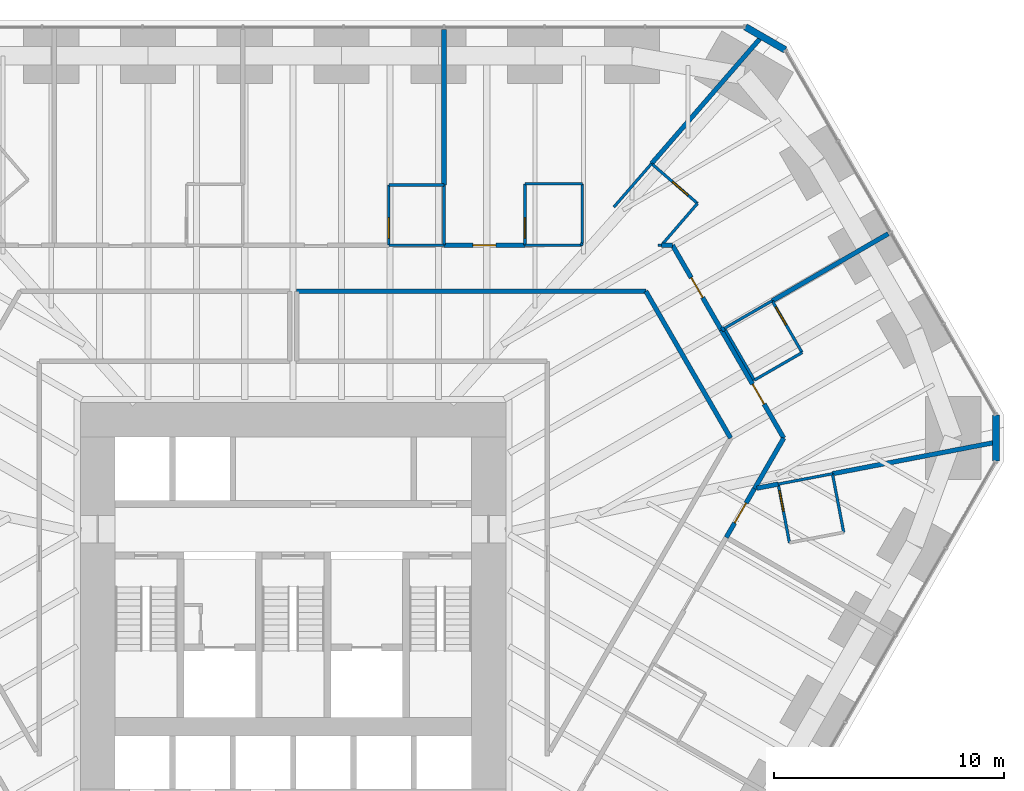
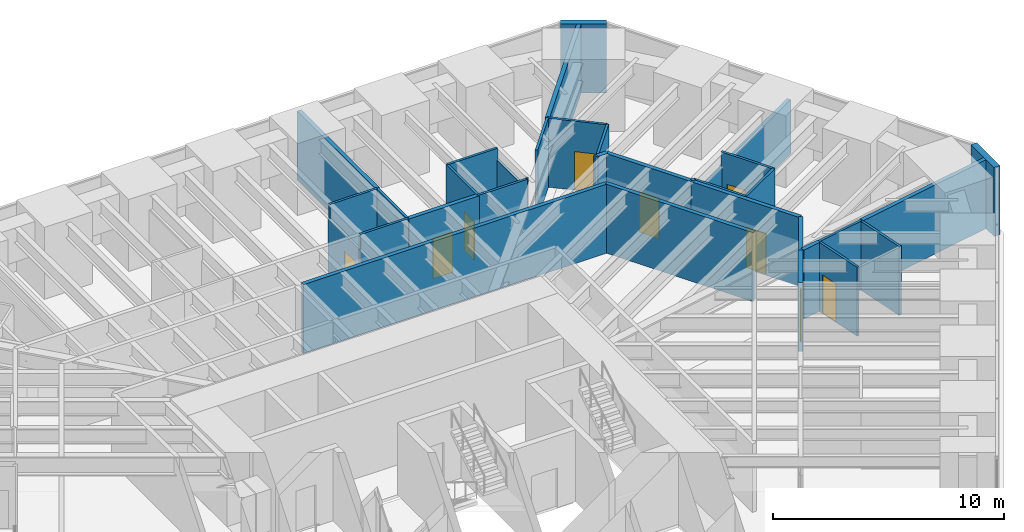
# One storey, part 15 of 17: 36 walls, 9 doors, 9 openings.
"""IFC4 building model written with IfcOpenShell, lengths in metres."""

from ifc_helpers import new_model, si_unit, direction, frame, frame_2d, origin, place, context, subcontext, project, spatial, rectangle, extrude, material, layer, layer_set, type_object, element, fill, save


model = new_model("IFC4")

# Units and contexts
model_context = context("Model", 3, precision=1e-05, world=origin(), true_north=direction((0.0, 1.0)))
body_context = subcontext(model_context, "Body", "Model", "MODEL_VIEW")
ifc_project = project(units=[si_unit("LENGTHUNIT", "METRE"), si_unit("AREAUNIT", "SQUARE_METRE"), si_unit("VOLUMEUNIT", "CUBIC_METRE"), si_unit("PLANEANGLEUNIT", "RADIAN"), si_unit("MASSUNIT", "GRAM", prefix="KILO")], contexts=[model_context])

# Site, building, storey
site_placement = place(None, origin())
site = spatial("IfcSite", under=ifc_project, at=site_placement, CompositionType="ELEMENT")
building_placement = place(site_placement, origin())
building = spatial("IfcBuilding", under=site, at=building_placement, Name="Sandreach Pilgrim Tower", CompositionType="ELEMENT")
storey_placement = place(building_placement, frame((0.0, 0.0, 34.39990234375)))
storey = spatial("IfcBuildingStorey", under=building, at=storey_placement, Name="L07", CompositionType="ELEMENT", Elevation=34.39990234375)

# Wall, opening, door
ifc_material_1 = material(Name="Moisture-resistant gypsum board on steel studs", Category="steel")
ifc_layer_1 = layer(ifc_material_1, 0.1201171875)
ifc_layer_set_1 = layer_set([ifc_layer_1], Name="Bathroom partition 120")
wall_type_1 = type_object("IfcWallType", Name="Bathroom partition 120", PredefinedType="PARTITIONING", material=ifc_layer_set_1)
wall_1_placement = place(storey_placement, frame((4.159912109375, 17.070068359375, 0.0), z_axis=(0.0, 0.0, 1.0), x_axis=(0.0, -1.0, 0.0)))
wall_1 = element("IfcWall", 1, at=wall_1_placement, inside=storey, type_object=wall_type_1, Name="Bathroom partition L07-078", PredefinedType="PARTITIONING", context=body_context, shape_type="SweptSolid", body=[
    extrude(rectangle(XDim=2.6201171875, YDim=0.1201171875, at=frame_2d((1.31005859375, 0.0))), origin(), (0.0, 0.0, 1.0), 2.878173828125),
])
opening_1_placement = place(wall_1_placement, frame((1.419921875, 0.0, 0.0)))
opening_1 = element("IfcOpeningElement", 2, at=opening_1_placement, cuts=wall_1, Name="Opening D09-03B", PredefinedType="OPENING", context=body_context, shape_type="SweptSolid", body=[
    extrude(rectangle(XDim=0.89990234375, YDim=2.030029296875, at=frame_2d((0.449951171875, 1.01513671875))), frame((0.0, 0.06005859375, 0.0), z_axis=(0.0, -1.0, 0.0), x_axis=(1.0, 0.0, 0.0)), (0.0, 0.0, 1.0), 0.1201171875),
])
ifc_material_2 = material(Name="Timber door, steel frame", Category="steel")
door_type_1 = type_object("IfcDoorType", Name="Bathroom door", OperationType="SINGLE_SWING_LEFT", PredefinedType="DOOR", material=ifc_material_2)
door_1_placement = place(opening_1_placement, origin())
door_1 = element("IfcDoor", 3, at=door_1_placement, inside=storey, type_object=door_type_1, Name="Door 0703B", OperationType="SINGLE_SWING_RIGHT", OverallHeight=2.030029296875, OverallWidth=0.89990234375, PredefinedType="DOOR", context=body_context, shape_type="SweptSolid", body=[
    extrude(rectangle(XDim=0.89990234375, YDim=2.030029296875, at=frame_2d((0.449951171875, 1.01513671875))), frame((0.0, 0.02490234375, 0.0), z_axis=(0.0, -1.0, 0.0), x_axis=(1.0, 0.0, 0.0)), (0.0, 0.0, 1.0), 0.050048828125),
])
fill(opening_1, door_1)

# Walls
for number, where, z_axis, x_axis, name in (
    (4, (6.56005859375, 14.449951171875, 0.0), (0.0, 0.0, 1.0), (-1.0, 0.0, 0.0), "Bathroom partition L07-083"),
    (5, (6.56005859375, 17.070068359375, 0.0), (0.0, 0.0, 1.0), (-1.0, 0.0, 0.0), "Bathroom partition L07-084"),
):
    element("IfcWall", number, at=place(storey_placement, frame(where, z_axis=z_axis, x_axis=x_axis)), inside=storey, type_object=wall_type_1, Name=name, PredefinedType="PARTITIONING", context=body_context, shape_type="SweptSolid", body=[
        extrude(rectangle(XDim=2.400146484375, YDim=0.1201171875, at=frame_2d((1.2001953125, 0.0))), origin(), (0.0, 0.0, 1.0), 3.64013671875),
    ])
wall_2_placement = place(storey_placement, frame((6.56005859375, 17.070068359375, 0.0), z_axis=(0.0, 0.0, 1.0), x_axis=(0.0, -1.0, 0.0)))
element("IfcWall", 6, at=wall_2_placement, inside=storey, type_object=wall_type_1, Name="Bathroom partition L07-085", PredefinedType="PARTITIONING", context=body_context, shape_type="SweptSolid", body=[
    extrude(rectangle(XDim=2.6201171875, YDim=0.1201171875, at=frame_2d((1.31005859375, 0.0))), origin(), (0.0, 0.0, 1.0), 3.64013671875),
])

# Wall, opening, door
wall_3_placement = place(storey_placement, frame((10.080078125, 17.1201171875, 0.0), z_axis=(0.0, 0.0, 1.0), x_axis=(0.0, -1.0, 0.0)))
wall_3 = element("IfcWall", 7, at=wall_3_placement, inside=storey, type_object=wall_type_1, Name="Bathroom partition L07-100", PredefinedType="PARTITIONING", context=body_context, shape_type="SweptSolid", body=[
    extrude(rectangle(XDim=2.670166015625, YDim=0.1201171875, at=frame_2d((1.3349609375, 0.0))), origin(), (0.0, 0.0, 1.0), 3.64013671875),
])
opening_2_placement = place(wall_3_placement, frame((1.469970703125, 0.0, 0.0)))
opening_2 = element("IfcOpeningElement", 8, at=opening_2_placement, cuts=wall_3, Name="Opening D09-04B", PredefinedType="OPENING", context=body_context, shape_type="SweptSolid", body=[
    extrude(rectangle(XDim=0.89990234375, YDim=2.030029296875, at=frame_2d((0.449951171875, 1.01513671875))), frame((0.0, 0.06005859375, 0.0), z_axis=(0.0, -1.0, 0.0), x_axis=(1.0, 0.0, 0.0)), (0.0, 0.0, 1.0), 0.1201171875),
])
door_2_placement = place(opening_2_placement, origin())
door_2 = element("IfcDoor", 9, at=door_2_placement, inside=storey, type_object=door_type_1, Name="Door 0704B", OperationType="SINGLE_SWING_RIGHT", OverallHeight=2.030029296875, OverallWidth=0.89990234375, PredefinedType="DOOR", context=body_context, shape_type="SweptSolid", body=[
    extrude(rectangle(XDim=0.89990234375, YDim=2.030029296875, at=frame_2d((0.449951171875, 1.01513671875))), frame((0.0, 0.02490234375, 0.0), z_axis=(0.0, -1.0, 0.0), x_axis=(1.0, 0.0, 0.0)), (0.0, 0.0, 1.0), 0.050048828125),
])
fill(opening_2, door_2)

# Walls
wall_4_placement = place(storey_placement, frame((12.510009765625, 14.449951171875, 0.0), z_axis=(0.0, 0.0, 1.0), x_axis=(-1.0, 0.0, 0.0)))
element("IfcWall", 10, at=wall_4_placement, inside=storey, type_object=wall_type_1, Name="Bathroom partition L07-112", PredefinedType="PARTITIONING", context=body_context, shape_type="SweptSolid", body=[
    extrude(rectangle(XDim=2.429931640625, YDim=0.1201171875, at=frame_2d((1.21484375, 0.0))), origin(), (0.0, 0.0, 1.0), 3.64013671875),
])
wall_5_placement = place(storey_placement, frame((12.580078125, 14.530029296875, 0.0), z_axis=(0.0, 0.0, 1.0), x_axis=(-0.658504607869, -0.752576694707, 0.0)))
element("IfcWall", 11, at=wall_5_placement, inside=storey, type_object=wall_type_1, Name="Bathroom partition L07-113", PredefinedType="PARTITIONING", context=body_context, shape_type="SweptSolid", body=[
    extrude(rectangle(XDim=0.1064453125, YDim=0.1201171875, at=frame_2d((0.05322265625, 0.0))), origin(), (0.0, 0.0, 1.0), 3.64013671875),
])
wall_6_placement = place(storey_placement, frame((12.580078125, 14.530029296875, 0.0), z_axis=(0.0, 0.0, 1.0), x_axis=(0.0, 1.0, 0.0)))
element("IfcWall", 12, at=wall_6_placement, inside=storey, type_object=wall_type_1, Name="Bathroom partition L07-114", PredefinedType="PARTITIONING", context=body_context, shape_type="SweptSolid", body=[
    extrude(rectangle(XDim=2.590087890625, YDim=0.1201171875, at=frame_2d((1.294921875, 0.0))), origin(), (0.0, 0.0, 1.0), 3.0380859375),
])
wall_7_placement = place(storey_placement, frame((12.580078125, 17.1201171875, 0.0), z_axis=(0.0, 0.0, 1.0), x_axis=(-1.0, 0.0, 0.0)))
element("IfcWall", 13, at=wall_7_placement, inside=storey, type_object=wall_type_1, Name="Bathroom partition L07-115", PredefinedType="PARTITIONING", context=body_context, shape_type="SweptSolid", body=[
    extrude(rectangle(XDim=2.5, YDim=0.1201171875, at=frame_2d((1.25, 0.0))), origin(), (0.0, 0.0, 1.0), 3.64013671875),
])
wall_8_placement = place(storey_placement, frame((13.949951171875, 16.10986328125, 0.0), z_axis=(0.0, 0.0, 1.0), x_axis=(0.655390967201, 0.75528979876, 0.0)))
element("IfcWall", 14, at=wall_8_placement, inside=storey, type_object=wall_type_1, Name="Bathroom partition L07-117", PredefinedType="PARTITIONING", context=body_context, shape_type="SweptSolid", body=[
    extrude(rectangle(XDim=2.50244140625, YDim=0.1201171875, at=frame_2d((1.251220703125, 0.0))), origin(), (0.0, 0.0, 1.0), 3.64013671875),
])
wall_9_placement = place(storey_placement, frame((16.02001953125, 14.449951171875, 0.0), z_axis=(0.0, 0.0, 1.0), x_axis=(-1.0, 0.0, 0.0)))
element("IfcWall", 15, at=wall_9_placement, inside=storey, type_object=wall_type_1, Name="Bathroom partition L07-123", PredefinedType="PARTITIONING", context=body_context, shape_type="SweptSolid", body=[
    extrude(rectangle(XDim=0.14990234375, YDim=0.1201171875, at=frame_2d((0.074951171875, 0.0))), origin(), (0.0, 0.0, 1.0), 3.64013671875),
])
wall_10_placement = place(storey_placement, frame((16.08203125, 14.52197265625, 0.0), z_axis=(0.0, 0.0, 1.0), x_axis=(0.653217802971, 0.757170061401, 0.0)))
element("IfcWall", 16, at=wall_10_placement, inside=storey, type_object=wall_type_1, Name="Bathroom partition L07-124", PredefinedType="PARTITIONING", context=body_context, shape_type="SweptSolid", body=[
    extrude(rectangle(XDim=2.30859375, YDim=0.1201171875, at=frame_2d((1.154296875, 0.0))), origin(), (0.0, 0.0, 1.0), 3.64013671875),
])

# Wall, opening, door
wall_11_placement = place(storey_placement, frame((17.590087890625, 16.27001953125, 0.0), z_axis=(0.0, 0.0, 1.0), x_axis=(-0.756316256301, 0.6542061758, 0.0)))
wall_11 = element("IfcWall", 17, at=wall_11_placement, inside=storey, type_object=wall_type_1, Name="Bathroom partition L07-130", PredefinedType="PARTITIONING", context=body_context, shape_type="SweptSolid", body=[
    extrude(rectangle(XDim=2.644287109375, YDim=0.1201171875, at=frame_2d((1.322265625, 0.0))), origin(), (0.0, 0.0, 1.0), 3.64013671875),
])
opening_3_placement = place(wall_11_placement, frame((0.550048828125, 0.0, 0.0)))
opening_3 = element("IfcOpeningElement", 18, at=opening_3_placement, cuts=wall_11, Name="Opening D09-05B", PredefinedType="OPENING", context=body_context, shape_type="SweptSolid", body=[
    extrude(rectangle(XDim=0.89990234375, YDim=2.030029296875, at=frame_2d((0.449951171875, 1.01513671875))), frame((0.0, 0.06005859375, 0.0), z_axis=(0.0, -1.0, 0.0), x_axis=(1.0, 0.0, 0.0)), (0.0, 0.0, 1.0), 0.1201171875),
])
door_3_placement = place(opening_3_placement, origin())
door_3 = element("IfcDoor", 19, at=door_3_placement, inside=storey, type_object=door_type_1, Name="Door 0705B", OperationType="SINGLE_SWING_LEFT", OverallHeight=2.030029296875, OverallWidth=0.89990234375, PredefinedType="DOOR", context=body_context, shape_type="SweptSolid", body=[
    extrude(rectangle(XDim=0.89990234375, YDim=2.030029296875, at=frame_2d((0.449951171875, 1.01513671875))), frame((0.0, 0.02490234375, 0.0), z_axis=(0.0, -1.0, 0.0), x_axis=(1.0, 0.0, 0.0)), (0.0, 0.0, 1.0), 0.050048828125),
])
fill(opening_3, door_3)

# Walls
wall_12_placement = place(storey_placement, frame((18.7578125, 10.833740234375, 0.0), z_axis=(0.0, 0.0, 1.0), x_axis=(0.865975636842, 0.500086188968, 0.0)))
element("IfcWall", 20, at=wall_12_placement, inside=storey, type_object=wall_type_1, Name="Bathroom partition L07-134", PredefinedType="PARTITIONING", context=body_context, shape_type="SweptSolid", body=[
    extrude(rectangle(XDim=2.4013671875, YDim=0.1201171875, at=frame_2d((1.20068359375, 0.0))), origin(), (0.0, 0.0, 1.0), 2.8603515625),
])
wall_13_placement = place(storey_placement, frame((18.760009765625, 10.830078125, 0.0), z_axis=(0.0, 0.0, 1.0), x_axis=(0.500291685314, -0.865856933682, 0.0)))
element("IfcWall", 21, at=wall_13_placement, inside=storey, type_object=wall_type_1, Name="Bathroom partition L07-135", PredefinedType="PARTITIONING", context=body_context, shape_type="SweptSolid", body=[
    extrude(rectangle(XDim=2.5986328125, YDim=0.1201171875, at=frame_2d((1.29931640625, 0.0))), origin(), (0.0, 0.0, 1.0), 3.64013671875),
])
wall_14_placement = place(storey_placement, frame((20.06005859375, 8.580078125, 0.0), z_axis=(0.0, 0.0, 1.0), x_axis=(0.866177122335, 0.499737123639, 0.0)))
element("IfcWall", 22, at=wall_14_placement, inside=storey, type_object=wall_type_1, Name="Bathroom partition L07-138", PredefinedType="PARTITIONING", context=body_context, shape_type="SweptSolid", body=[
    extrude(rectangle(XDim=2.401123046875, YDim=0.1201171875, at=frame_2d((1.20068359375, 0.0))), origin(), (0.0, 0.0, 1.0), 3.64013671875),
])

# Wall, opening, door
wall_15_placement = place(storey_placement, frame((21.10009765625, 4.06005859375, 0.0), z_axis=(0.0, 0.0, 1.0), x_axis=(0.188697442844, -0.982035271802, 0.0)))
wall_15 = element("IfcWall", 23, at=wall_15_placement, inside=storey, type_object=wall_type_1, Name="Bathroom partition L07-142", PredefinedType="PARTITIONING", context=body_context, shape_type="SweptSolid", body=[
    extrude(rectangle(XDim=2.5966796875, YDim=0.1201171875, at=frame_2d((1.29833984375, 0.0))), origin(), (0.0, 0.0, 1.0), 3.64013671875),
])
opening_4_placement = place(wall_15_placement, frame((0.300048828125, 0.0, 0.0)))
opening_4 = element("IfcOpeningElement", 24, at=opening_4_placement, cuts=wall_15, Name="Opening D09-07B", PredefinedType="OPENING", context=body_context, shape_type="SweptSolid", body=[
    extrude(rectangle(XDim=0.89990234375, YDim=2.030029296875, at=frame_2d((0.449951171875, 1.01513671875))), frame((0.0, 0.06005859375, 0.0), z_axis=(0.0, -1.0, 0.0), x_axis=(1.0, 0.0, 0.0)), (0.0, 0.0, 1.0), 0.1201171875),
])
door_4_placement = place(opening_4_placement, origin())
door_4 = element("IfcDoor", 25, at=door_4_placement, inside=storey, type_object=door_type_1, Name="Door 0707B", OperationType="SINGLE_SWING_LEFT", OverallHeight=2.030029296875, OverallWidth=0.89990234375, PredefinedType="DOOR", context=body_context, shape_type="SweptSolid", body=[
    extrude(rectangle(XDim=0.89990234375, YDim=2.030029296875, at=frame_2d((0.449951171875, 1.01513671875))), frame((0.0, 0.02490234375, 0.0), z_axis=(0.0, -1.0, 0.0), x_axis=(1.0, 0.0, 0.0)), (0.0, 0.0, 1.0), 0.050048828125),
])
fill(opening_4, door_4)

# Wall
wall_16_placement = place(storey_placement, frame((21.099853515625, 4.06005859375, 0.0), z_axis=(0.0, 0.0, 1.0), x_axis=(0.982307423658, 0.187275533444, 0.0)))
element("IfcWall", 26, at=wall_16_placement, inside=storey, type_object=wall_type_1, Name="Bathroom partition L07-143", PredefinedType="PARTITIONING", context=body_context, shape_type="SweptSolid", body=[
    extrude(rectangle(XDim=2.402587890625, YDim=0.1201171875, at=frame_2d((1.201171875, 0.0))), origin(), (0.0, 0.0, 1.0), 3.64013671875),
])

# Wall, opening, door
wall_17_placement = place(storey_placement, frame((22.139892578125, 9.780029296875, 0.0), z_axis=(0.0, 0.0, 1.0), x_axis=(-0.500221244143, 0.865897630733, 0.0)))
wall_17 = element("IfcWall", 27, at=wall_17_placement, inside=storey, type_object=wall_type_1, Name="Bathroom partition L07-145", PredefinedType="PARTITIONING", context=body_context, shape_type="SweptSolid", body=[
    extrude(rectangle(XDim=2.598388671875, YDim=0.1201171875, at=frame_2d((1.29931640625, 0.0))), origin(), (0.0, 0.0, 1.0), 3.64013671875),
])
opening_5_placement = place(wall_17_placement, frame((1.398681640625, 0.0, 0.0)))
opening_5 = element("IfcOpeningElement", 28, at=opening_5_placement, cuts=wall_17, Name="Opening D09-06B", PredefinedType="OPENING", context=body_context, shape_type="SweptSolid", body=[
    extrude(rectangle(XDim=0.89990234375, YDim=2.030029296875, at=frame_2d((0.449951171875, 1.01513671875))), frame((0.0, 0.06005859375, 0.0), z_axis=(0.0, -1.0, 0.0), x_axis=(1.0, 0.0, 0.0)), (0.0, 0.0, 1.0), 0.1201171875),
])
door_5_placement = place(opening_5_placement, origin())
door_5 = element("IfcDoor", 29, at=door_5_placement, inside=storey, type_object=door_type_1, Name="Door 0706B", OperationType="SINGLE_SWING_RIGHT", OverallHeight=2.030029296875, OverallWidth=0.89990234375, PredefinedType="DOOR", context=body_context, shape_type="SweptSolid", body=[
    extrude(rectangle(XDim=0.89990234375, YDim=2.030029296875, at=frame_2d((0.449951171875, 1.01513671875))), frame((0.0, 0.02490234375, 0.0), z_axis=(0.0, -1.0, 0.0), x_axis=(1.0, 0.0, 0.0)), (0.0, 0.0, 1.0), 0.050048828125),
])
fill(opening_5, door_5)

# Walls
wall_18_placement = place(storey_placement, frame((23.949951171875, 1.9599609375, 0.0), z_axis=(0.0, 0.0, 1.0), x_axis=(-0.188697442844, 0.982035271802, 0.0)))
element("IfcWall", 30, at=wall_18_placement, inside=storey, type_object=wall_type_1, Name="Bathroom partition L07-147", PredefinedType="PARTITIONING", context=body_context, shape_type="SweptSolid", body=[
    extrude(rectangle(XDim=2.5966796875, YDim=0.1201171875, at=frame_2d((1.29833984375, 0.0))), origin(), (0.0, 0.0, 1.0), 3.64013671875),
])
ifc_material_3 = material(Name="Gypsum board on steel studs, two layers each side", Category="steel")
ifc_layer_2 = layer(ifc_material_3, 0.199951171875)
ifc_layer_set_2 = layer_set([ifc_layer_2], Name="Corridor wall 200")
wall_type_2 = type_object("IfcWallType", Name="Corridor wall 200", PredefinedType="PARTITIONING", material=ifc_layer_set_2)
wall_19_placement = place(storey_placement, frame((0.14990234375, 12.449951171875, 0.0), z_axis=(0.0, 0.0, 1.0), x_axis=(1.0, 0.0, 0.0)))
element("IfcWall", 31, at=wall_19_placement, inside=storey, type_object=wall_type_2, Name="Corridor wall L07-071", PredefinedType="PARTITIONING", context=body_context, shape_type="SweptSolid", body=[
    extrude(rectangle(XDim=15.190185546875, YDim=0.199951171875, at=frame_2d((7.59521484375, 0.0))), origin(), (0.0, 0.0, 1.0), 3.64013671875),
])

# Wall, opening, door
wall_20_placement = place(storey_placement, frame((10.080078125, 14.449951171875, 0.0), z_axis=(0.0, 0.0, 1.0), x_axis=(-1.0, 0.0, 0.0)))
wall_20 = element("IfcWall", 32, at=wall_20_placement, inside=storey, type_object=wall_type_2, Name="Corridor wall L07-099", PredefinedType="PARTITIONING", context=body_context, shape_type="SweptSolid", body=[
    extrude(rectangle(XDim=3.52001953125, YDim=0.199951171875, at=frame_2d((1.760009765625, 0.0))), origin(), (0.0, 0.0, 1.0), 3.64013671875),
])
opening_6_placement = place(wall_20_placement, frame((1.260009765625, 0.0, 0.0)))
opening_6 = element("IfcOpeningElement", 33, at=opening_6_placement, cuts=wall_20, Name="Opening D10-04", PredefinedType="OPENING", context=body_context, shape_type="SweptSolid", body=[
    extrude(rectangle(XDim=1.0, YDim=2.1298828125, at=frame_2d((0.5, 1.06494140625))), frame((0.0, 0.10009765625, 0.0), z_axis=(0.0, -1.0, 0.0), x_axis=(1.0, 0.0, 0.0)), (0.0, 0.0, 1.0), 0.199951171875),
])
ifc_material_4 = material(Name="Steel door and frame", Category="steel")
door_type_2 = type_object("IfcDoorType", Name="Guest room entry door", OperationType="SINGLE_SWING_LEFT", PredefinedType="DOOR", material=ifc_material_4)
door_6_placement = place(opening_6_placement, origin())
door_6 = element("IfcDoor", 34, at=door_6_placement, inside=storey, type_object=door_type_2, Name="Door 0704", OperationType="SINGLE_SWING_LEFT", OverallHeight=2.1298828125, OverallWidth=1.0, PredefinedType="DOOR", context=body_context, shape_type="SweptSolid", body=[
    extrude(rectangle(XDim=1.0, YDim=2.1298828125, at=frame_2d((0.5, 1.06494140625))), frame((0.0, 0.02490234375, 0.0), z_axis=(0.0, -1.0, 0.0), x_axis=(1.0, 0.0, 0.0)), (0.0, 0.0, 1.0), 0.050048828125),
])
fill(opening_6, door_6)

# Walls
wall_21_placement = place(storey_placement, frame((15.340087890625, 12.449951171875, 0.0), z_axis=(0.0, 0.0, 1.0), x_axis=(0.500074726567, -0.865982256082, 0.0)))
element("IfcWall", 35, at=wall_21_placement, inside=storey, type_object=wall_type_2, Name="Corridor wall L07-120", PredefinedType="PARTITIONING", context=body_context, shape_type="SweptSolid", body=[
    extrude(rectangle(XDim=7.378662109375, YDim=0.199951171875, at=frame_2d((3.689453125, 0.0))), origin(), (0.0, 0.0, 1.0), 3.64013671875),
])
wall_22_placement = place(storey_placement, frame((16.5, 14.449951171875, 0.0), z_axis=(0.0, 0.0, 1.0), x_axis=(-1.0, 0.0, 0.0)))
element("IfcWall", 36, at=wall_22_placement, inside=storey, type_object=wall_type_2, Name="Corridor wall L07-125", PredefinedType="PARTITIONING", context=body_context, shape_type="SweptSolid", body=[
    extrude(rectangle(XDim=0.47998046875, YDim=0.199951171875, at=frame_2d((0.239990234375, 0.0))), origin(), (0.0, 0.0, 1.0), 3.64013671875),
])

# Wall, opening, door
wall_23_placement = place(storey_placement, frame((16.5, 14.449951171875, 0.0), z_axis=(0.0, 0.0, 1.0), x_axis=(0.499689380994, -0.866204665493, 0.0)))
wall_23 = element("IfcWall", 37, at=wall_23_placement, inside=storey, type_object=wall_type_2, Name="Corridor wall L07-126", PredefinedType="PARTITIONING", context=body_context, shape_type="SweptSolid", body=[
    extrude(rectangle(XDim=4.260498046875, YDim=0.199951171875, at=frame_2d((2.13037109375, 0.0))), origin(), (0.0, 0.0, 1.0), 3.64013671875),
])
opening_7_placement = place(wall_23_placement, frame((1.63037109375, 0.0, 0.0)))
opening_7 = element("IfcOpeningElement", 38, at=opening_7_placement, cuts=wall_23, Name="Opening D10-05", PredefinedType="OPENING", context=body_context, shape_type="SweptSolid", body=[
    extrude(rectangle(XDim=1.0, YDim=2.1298828125, at=frame_2d((0.5, 1.06494140625))), frame((0.0, 0.10009765625, 0.0), z_axis=(0.0, -1.0, 0.0), x_axis=(1.0, 0.0, 0.0)), (0.0, 0.0, 1.0), 0.199951171875),
])
door_7_placement = place(opening_7_placement, origin())
door_7 = element("IfcDoor", 39, at=door_7_placement, inside=storey, type_object=door_type_2, Name="Door 0705", OperationType="SINGLE_SWING_LEFT", OverallHeight=2.1298828125, OverallWidth=1.0, PredefinedType="DOOR", context=body_context, shape_type="SweptSolid", body=[
    extrude(rectangle(XDim=1.0, YDim=2.1298828125, at=frame_2d((0.5, 1.06494140625))), frame((0.0, 0.02490234375, 0.0), z_axis=(0.0, -1.0, 0.0), x_axis=(1.0, 0.0, 0.0)), (0.0, 0.0, 1.0), 0.050048828125),
])
fill(opening_7, door_7)

wall_24_placement = place(storey_placement, frame((18.62890625, 10.759521484375, 0.0), z_axis=(0.0, 0.0, 1.0), x_axis=(0.499715960807, -0.866189331794, 0.0)))
wall_24 = element("IfcWall", 40, at=wall_24_placement, inside=storey, type_object=wall_type_2, Name="Corridor wall L07-132", PredefinedType="PARTITIONING", context=body_context, shape_type="SweptSolid", body=[
    extrude(rectangle(XDim=5.425537109375, YDim=0.199951171875, at=frame_2d((2.712890625, 0.0))), origin(), (0.0, 0.0, 1.0), 3.64013671875),
])
opening_8_placement = place(wall_24_placement, frame((2.712646484375, 0.0, 0.0)))
opening_8 = element("IfcOpeningElement", 41, at=opening_8_placement, cuts=wall_24, Name="Opening D10-06", PredefinedType="OPENING", context=body_context, shape_type="SweptSolid", body=[
    extrude(rectangle(XDim=1.0, YDim=2.1298828125, at=frame_2d((0.5, 1.06494140625))), frame((0.0, 0.10009765625, 0.0), z_axis=(0.0, -1.0, 0.0), x_axis=(1.0, 0.0, 0.0)), (0.0, 0.0, 1.0), 0.199951171875),
])
door_8_placement = place(opening_8_placement, origin())
door_8 = element("IfcDoor", 42, at=door_8_placement, inside=storey, type_object=door_type_2, Name="Door 0706", OperationType="SINGLE_SWING_RIGHT", OverallHeight=2.1298828125, OverallWidth=1.0, PredefinedType="DOOR", context=body_context, shape_type="SweptSolid", body=[
    extrude(rectangle(XDim=1.0, YDim=2.1298828125, at=frame_2d((0.5, 1.06494140625))), frame((0.0, 0.02490234375, 0.0), z_axis=(0.0, -1.0, 0.0), x_axis=(1.0, 0.0, 0.0)), (0.0, 0.0, 1.0), 0.050048828125),
])
fill(opening_8, door_8)

wall_25_placement = place(storey_placement, frame((18.840087890625, 1.739990234375, 0.0), z_axis=(0.0, 0.0, 1.0), x_axis=(0.500348958043, 0.865823839003, 0.0)))
wall_25 = element("IfcWall", 43, at=wall_25_placement, inside=storey, type_object=wall_type_2, Name="Corridor wall L07-136", PredefinedType="PARTITIONING", context=body_context, shape_type="SweptSolid", body=[
    extrude(rectangle(XDim=2.450927734375, YDim=0.199951171875, at=frame_2d((1.2255859375, 0.0))), origin(), (0.0, 0.0, 1.0), 3.64013671875),
])
opening_9_placement = place(wall_25_placement, frame((0.7255859375, 0.0, 0.0)))
opening_9 = element("IfcOpeningElement", 44, at=opening_9_placement, cuts=wall_25, Name="Opening D10-07", PredefinedType="OPENING", context=body_context, shape_type="SweptSolid", body=[
    extrude(rectangle(XDim=1.0, YDim=2.1298828125, at=frame_2d((0.5, 1.06494140625))), frame((0.0, 0.10009765625, 0.0), z_axis=(0.0, -1.0, 0.0), x_axis=(1.0, 0.0, 0.0)), (0.0, 0.0, 1.0), 0.199951171875),
])
door_9_placement = place(opening_9_placement, origin())
door_9 = element("IfcDoor", 45, at=door_9_placement, inside=storey, type_object=door_type_2, Name="Door 0707", OperationType="SINGLE_SWING_LEFT", OverallHeight=2.1298828125, OverallWidth=1.0, PredefinedType="DOOR", context=body_context, shape_type="SweptSolid", body=[
    extrude(rectangle(XDim=1.0, YDim=2.1298828125, at=frame_2d((0.5, 1.06494140625))), frame((0.0, 0.02490234375, 0.0), z_axis=(0.0, -1.0, 0.0), x_axis=(1.0, 0.0, 0.0)), (0.0, 0.0, 1.0), 0.050048828125),
])
fill(opening_9, door_9)

# Walls
wall_26_placement = place(storey_placement, frame((20.070068359375, 3.860107421875, 0.0), z_axis=(0.0, 0.0, 1.0), x_axis=(0.499963722229, 0.866046347752, 0.0)))
element("IfcWall", 46, at=wall_26_placement, inside=storey, type_object=wall_type_2, Name="Corridor wall L07-139", PredefinedType="PARTITIONING", context=body_context, shape_type="SweptSolid", body=[
    extrude(rectangle(XDim=2.540283203125, YDim=0.199951171875, at=frame_2d((1.27001953125, 0.0))), origin(), (0.0, 0.0, 1.0), 3.64013671875),
])
ifc_material_5 = material(Name="Double steel stud acoustic wall, gypsum board", Category="steel")
ifc_layer_3 = layer(ifc_material_5, 0.199951171875)
ifc_layer_set_3 = layer_set([ifc_layer_3], Name="Party wall 200")
wall_type_3 = type_object("IfcWallType", Name="Party wall 200", PredefinedType="PARTITIONING", material=ifc_layer_set_3)
wall_27_placement = place(storey_placement, frame((6.56005859375, 23.830078125, 0.0), z_axis=(0.0, 0.0, 1.0), x_axis=(0.0, -1.0, 0.0)))
element("IfcWall", 47, at=wall_27_placement, inside=storey, type_object=wall_type_3, Name="Party wall L07-086", PredefinedType="PARTITIONING", context=body_context, shape_type="SweptSolid", body=[
    extrude(rectangle(XDim=6.760009765625, YDim=0.199951171875, at=frame_2d((3.3798828125, 0.0))), origin(), (0.0, 0.0, 1.0), 3.64013671875),
])
wall_28_placement = place(storey_placement, frame((15.590087890625, 18.0, 0.0), z_axis=(0.0, 0.0, 1.0), x_axis=(0.655131789558, 0.755514618197, 0.0)))
element("IfcWall", 48, at=wall_28_placement, inside=storey, type_object=wall_type_3, Name="Party wall L07-121", PredefinedType="PARTITIONING", context=body_context, shape_type="SweptSolid", body=[
    extrude(rectangle(XDim=7.342529296875, YDim=0.199951171875, at=frame_2d((3.67138671875, 0.0))), origin(), (0.0, 0.0, 1.0), 3.64013671875),
])
wall_29_placement = place(storey_placement, frame((18.638671875, 10.764892578125, 0.0), z_axis=(0.0, 0.0, 1.0), x_axis=(0.865830913258, 0.500336716268, 0.0)))
element("IfcWall", 49, at=wall_29_placement, inside=storey, type_object=wall_type_3, Name="Party wall L07-133", PredefinedType="PARTITIONING", context=body_context, shape_type="SweptSolid", body=[
    extrude(rectangle(XDim=0.1376953125, YDim=0.199951171875, at=frame_2d((0.06884765625, 0.0))), origin(), (0.0, 0.0, 1.0), 3.64013671875),
])
wall_30_placement = place(storey_placement, frame((20.173095703125, 3.880126953125, 0.0), z_axis=(0.0, 0.0, 1.0), x_axis=(0.981669186859, 0.19059277943, 0.0)))
element("IfcWall", 50, at=wall_30_placement, inside=storey, type_object=wall_type_3, Name="Party wall L07-140", PredefinedType="PARTITIONING", context=body_context, shape_type="SweptSolid", body=[
    extrude(rectangle(XDim=0.944091796875, YDim=0.199951171875, at=frame_2d((0.47216796875, 0.0))), origin(), (0.0, 0.0, 1.0), 3.64013671875),
])
wall_31_placement = place(storey_placement, frame((20.840087890625, 12.030029296875, 0.0), z_axis=(0.0, 0.0, 1.0), x_axis=(0.865529484494, 0.50085797535, 0.0)))
element("IfcWall", 51, at=wall_31_placement, inside=storey, type_object=wall_type_3, Name="Party wall L07-141", PredefinedType="PARTITIONING", context=body_context, shape_type="SweptSolid", body=[
    extrude(rectangle(XDim=5.829833984375, YDim=0.199951171875, at=frame_2d((2.9150390625, 0.0))), origin(), (0.0, 0.0, 1.0), 2.8603515625),
])
wall_32_placement = place(storey_placement, frame((23.4599609375, 4.510009765625, 0.0), z_axis=(0.0, 0.0, 1.0), x_axis=(0.981929870864, 0.189245155035, 0.0)))
element("IfcWall", 52, at=wall_32_placement, inside=storey, type_object=wall_type_3, Name="Party wall L07-146", PredefinedType="PARTITIONING", context=body_context, shape_type="SweptSolid", body=[
    extrude(rectangle(XDim=7.26171875, YDim=0.199951171875, at=frame_2d((3.630859375, 0.0))), origin(), (0.0, 0.0, 1.0), 3.64013671875),
])
ifc_material_6 = material(Name="Terracotta rainscreen on concrete", Category="masonry")
ifc_layer_4 = layer(ifc_material_6, 0.300048828125)
ifc_layer_set_4 = layer_set([ifc_layer_4], Name="Terracotta chamfer pier")
wall_type_4 = type_object("IfcWallType", Name="Terracotta chamfer pier", PredefinedType="SOLIDWALL", material=ifc_layer_set_4)
for number, where, z_axis, x_axis, name in (
    (53, (19.672119140625, 23.94873046875, 0.0), (0.0, 0.0, 1.0), (0.866010750942, -0.50002537861, 0.0), "Chamfer pier L07 N"),
    (54, (30.576171875, 7.062255859375, 0.0), (0.0, 0.0, 1.0), (0.0, -1.0, 0.0), "Chamfer pier L07 NE"),
):
    element("IfcWall", number, at=place(storey_placement, frame(where, z_axis=z_axis, x_axis=x_axis)), inside=storey, type_object=wall_type_4, Name=name, PredefinedType="SOLIDWALL", context=body_context, shape_type="SweptSolid", body=[
        extrude(rectangle(XDim=2.0, YDim=0.300048828125, at=frame_2d((1.0, 0.0))), origin(), (0.0, 0.0, 1.0), 3.64013671875),
    ])

save(model, "model.ifc")
